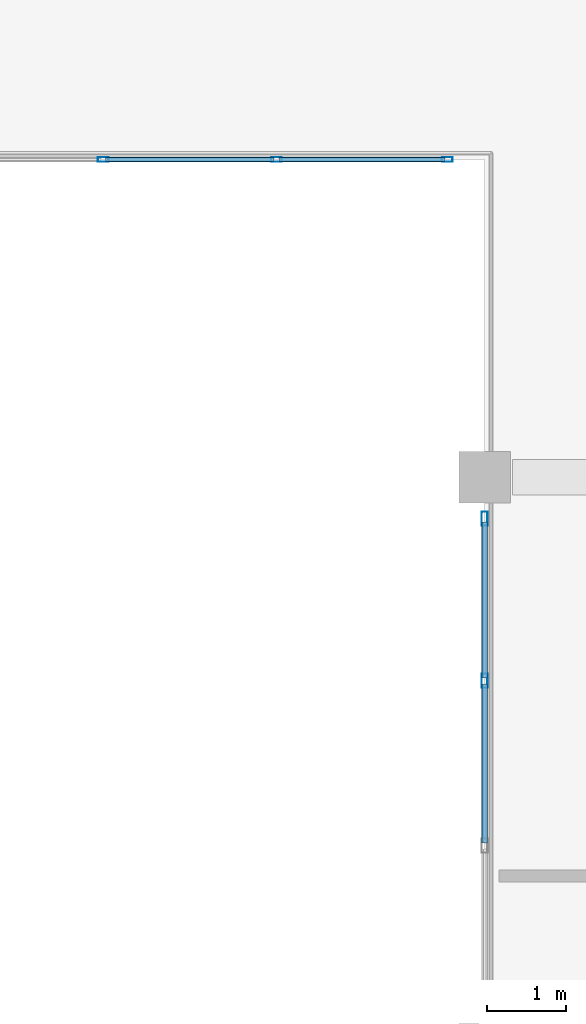
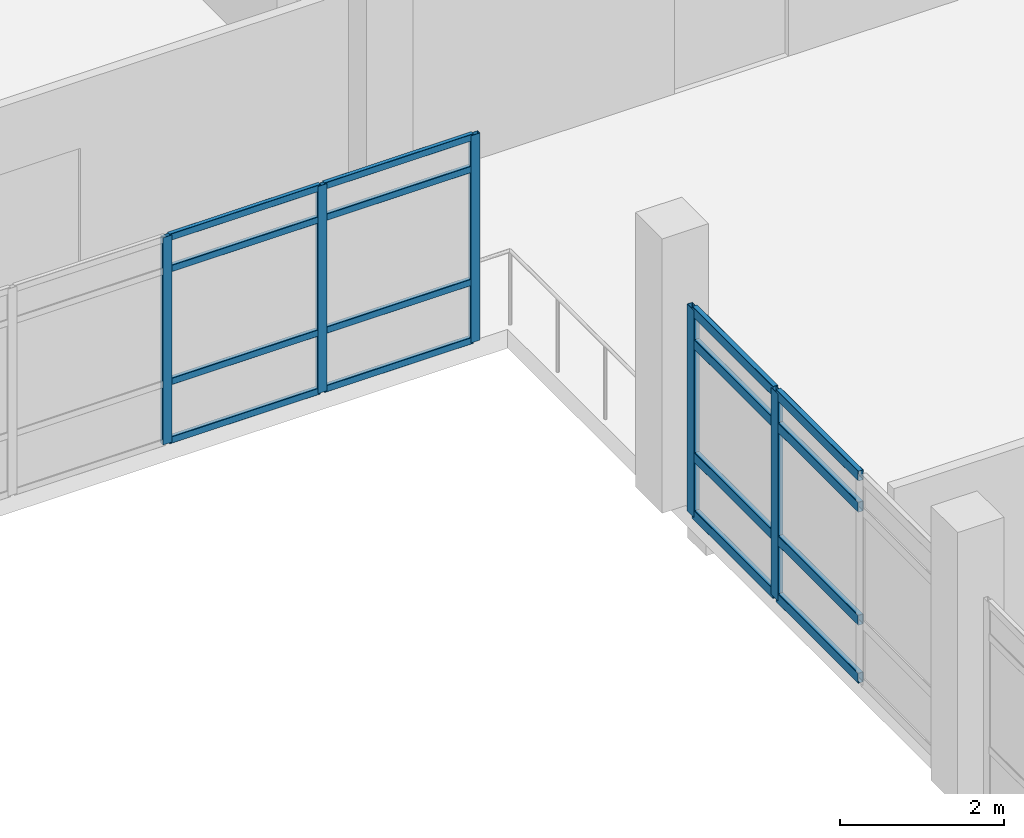
# One storey, part 27 of 72: 21 members, 2 elements without a shape of their own.
"""IFC4 building model written with IfcOpenShell, lengths in metres."""

import ifcopenshell
import ifcopenshell.guid

model = None  # the IFC model being written
_history = None  # IfcOwnerHistory: only IFC2X3 demands one
_inside = {}  # id of a spatial element -> (the spatial element, [elements in it])
_under = {}  # id of a project, library or spatial element -> (it, [spatial elements below it])
_declared = {}  # id of a project -> (the project, [libraries it declares])
_typed = {}  # id of a type object -> (the type object, [elements of that type])
_made_of = {}  # id of a material, layer set ... -> (it, [elements and type objects made of it])


def new_model(schema):
    """Start an empty IFC model of exactly this schema.

    Asked for "IFC4X3", IfcOpenShell would pick the latest addendum, in which some entities
    have other attributes; the version numbers below select the first issue.
    IFC2X3 requires an IfcOwnerHistory on every rooted entity: one is made here for all.
    """
    global model, _history
    if schema == "IFC4X3":
        model = ifcopenshell.file(schema_version=(4, 3, 0, 0))
    else:
        model = ifcopenshell.file(schema=schema)
    _inside.clear()
    _under.clear()
    _declared.clear()
    _typed.clear()
    _made_of.clear()
    _history = None
    if model.schema == "IFC2X3":
        org = make("IfcOrganization", Name="unknown")
        user = make(
            "IfcPersonAndOrganization",
            ThePerson=make("IfcPerson", FamilyName="unknown"),
            TheOrganization=org,
        )
        app = make(
            "IfcApplication",
            ApplicationDeveloper=org,
            Version="unknown",
            ApplicationFullName="unknown",
            ApplicationIdentifier="unknown",
        )
        _history = make(
            "IfcOwnerHistory",
            OwningUser=user,
            OwningApplication=app,
            ChangeAction="ADDED",
            CreationDate=0,
        )
    return model


def make(cls, **values):
    """One entity of the class cls with the attributes given. An attribute that is None is left unset."""
    return model.create_entity(
        cls, **{name: value for name, value in values.items() if value is not None}
    )


def rooted(cls, **values):
    """An entity with a GlobalId (a new one), such as an element, a storey or a relation."""
    return make(cls, GlobalId=ifcopenshell.guid.new(), OwnerHistory=_history, **values)


def si_unit(unit_type, name, prefix=None):
    """IfcSIUnit, for example si_unit("LENGTHUNIT", "METRE", prefix="MILLI")."""
    return make("IfcSIUnit", UnitType=unit_type, Prefix=prefix, Name=name)


def assignment(units):
    """IfcUnitAssignment: the units of a project."""
    return None if units is None else make("IfcUnitAssignment", Units=units)


def point(xyz):
    """IfcCartesianPoint."""
    return None if xyz is None else make("IfcCartesianPoint", Coordinates=xyz)


def direction(xyz):
    """IfcDirection."""
    return None if xyz is None else make("IfcDirection", DirectionRatios=xyz)


def frame(location, z_axis=None, x_axis=None):
    """IfcAxis2Placement3D, a coordinate frame: its origin and axes. An axis left out is left unset."""
    return make(
        "IfcAxis2Placement3D",
        Location=point(location),
        Axis=direction(z_axis),
        RefDirection=direction(x_axis),
    )


def frame_2d(location, x_axis=None):
    """IfcAxis2Placement2D, a coordinate frame in the plane: its origin and x axis."""
    return make(
        "IfcAxis2Placement2D", Location=point(location), RefDirection=direction(x_axis)
    )


def origin():
    """The frame at (0, 0, 0) with its axes left unset."""
    return frame((0.0, 0.0, 0.0))


def origin_2d():
    """The frame at (0, 0) in the plane with its x axis left unset."""
    return frame_2d((0.0, 0.0))


def place(relative_to, where):
    """IfcLocalPlacement: puts the frame where relative to a parent placement (None: the world)."""
    return make(
        "IfcLocalPlacement", PlacementRelTo=relative_to, RelativePlacement=where
    )


def context(
    kind, dimensions, precision=None, world=None, true_north=None, identifier=None
):
    """IfcGeometricRepresentationContext, for example the 3D "Model" context."""
    return make(
        "IfcGeometricRepresentationContext",
        ContextIdentifier=identifier,
        ContextType=kind,
        CoordinateSpaceDimension=dimensions,
        Precision=precision,
        WorldCoordinateSystem=world,
        TrueNorth=true_north,
    )


def subcontext(parent, identifier, kind, view, scale=None):
    """IfcGeometricRepresentationSubContext, for example "Body" below "Model"."""
    return make(
        "IfcGeometricRepresentationSubContext",
        ContextIdentifier=identifier,
        ContextType=kind,
        ParentContext=parent,
        TargetScale=scale,
        TargetView=view,
    )


def project(units=None, contexts=None):
    """IfcProject with its units and contexts."""
    return rooted(
        "IfcProject",
        Name="project",
        RepresentationContexts=contexts,
        UnitsInContext=assignment(units),
    )


def spatial(cls, under=None, at=None, **own):
    """A site, building, storey or space (cls), placed at a placement, below another one or the project."""
    s = rooted(cls, ObjectPlacement=at, **own)
    if under is not None:
        _under.setdefault(under.id(), (under, []))[1].append(s)
    return s


def profile(cls, at=None, kind="AREA", **sizes):
    """A parametric profile (cls). Its sizes go by their IFC names, for example OverallWidth=200.0."""
    return make(cls, ProfileType=kind, Position=at, **sizes)


def hollow_rectangle(**sizes):
    """IfcRectangleHollowProfileDef."""
    return profile("IfcRectangleHollowProfileDef", **sizes)


def extrude(swept, where, along, depth):
    """IfcExtrudedAreaSolid: the profile swept, set in the frame where, extruded along a direction by depth."""
    return make(
        "IfcExtrudedAreaSolid",
        SweptArea=swept,
        Position=where,
        ExtrudedDirection=direction(along),
        Depth=depth,
    )


def shape(context_of_items, identifier, shape_type, items):
    """IfcShapeRepresentation: the items that make up one representation, for example the "Body"."""
    return make(
        "IfcShapeRepresentation",
        ContextOfItems=context_of_items,
        RepresentationIdentifier=identifier,
        RepresentationType=shape_type,
        Items=items,
    )


def material(Name=None, Category=None):
    """IfcMaterial."""
    return make("IfcMaterial", Name=Name, Category=Category)


def layer(
    of_material, thickness, ventilated=None, Name=None, Category=None, Priority=None
):
    """IfcMaterialLayer: one layer of a wall or slab, of a material (None: an air gap)."""
    return make(
        "IfcMaterialLayer",
        Material=of_material,
        LayerThickness=thickness,
        IsVentilated=ventilated,
        Name=Name,
        Category=Category,
        Priority=Priority,
    )


def layer_set(layers, Name=None):
    """IfcMaterialLayerSet."""
    return make("IfcMaterialLayerSet", MaterialLayers=layers, LayerSetName=Name)


def material_profile(
    of_material, cross_section, Name=None, Category=None, Priority=None
):
    """IfcMaterialProfile: a cross section and its material."""
    return make(
        "IfcMaterialProfile",
        Name=Name,
        Material=of_material,
        Profile=cross_section,
        Priority=Priority,
        Category=Category,
    )


def profile_set(profiles, Name=None, composite=None):
    """IfcMaterialProfileSet."""
    return make(
        "IfcMaterialProfileSet",
        Name=Name,
        MaterialProfiles=profiles,
        CompositeProfile=composite,
    )


def made_of(thing, what):
    """Note that an element or type object is made of a material, layer set ...; save() writes the relation."""
    if what is not None:
        _made_of.setdefault(what.id(), (what, []))[1].append(thing)
    return thing


def type_object(cls, material=None, **own):
    """A type object (cls), such as IfcWallType, which elements share."""
    return made_of(rooted(cls, **own), material)


def element(
    cls,
    number,
    at=None,
    inside=None,
    cuts=None,
    type_object=None,
    material=None,
    context=None,
    identifier="Body",
    shape_type=None,
    held_by="IfcProductDefinitionShape",
    body=None,
    shapes=None,
    **own,
):
    """One element of the class cls, such as IfcWall. Its Tag is "e" and its number.

    at: its placement. inside: the storey or other place that contains it. cuts: it is an
    opening in that element (IfcRelVoidsElement). A single representation is given by context,
    identifier, shape_type and body (its items); several are given by shapes. held_by: the class
    of the entity that holds the representations. save() writes the other relations.
    """
    e = rooted(cls, Tag="e%d" % number, ObjectPlacement=at, **own)
    if body is not None:
        shapes = [shape(context, identifier, shape_type, body)]
    if shapes is not None:
        e.Representation = make(held_by, Representations=shapes)
    if inside is not None:
        _inside.setdefault(inside.id(), (inside, []))[1].append(e)
    if cuts is not None:
        rooted(
            "IfcRelVoidsElement", RelatingBuildingElement=cuts, RelatedOpeningElement=e
        )
    if type_object is not None:
        _typed.setdefault(type_object.id(), (type_object, []))[1].append(e)
    return made_of(e, material)


def aggregate(whole, parts):
    """IfcRelAggregates: a whole, such as a stair, and the parts it consists of."""
    return rooted("IfcRelAggregates", RelatingObject=whole, RelatedObjects=parts)


def save(model, path):
    """Write the relations noted so far, then the file.

    IfcRelAggregates (storeys below a building ...), IfcRelContainedInSpatialStructure (elements
    in a storey), IfcRelDefinesByType, IfcRelAssociatesMaterial and IfcRelDeclares: one each for
    every whole, place, type object, material and project.
    """
    for whole, parts in _under.values():
        aggregate(whole, parts)
    for where, things in _inside.values():
        rooted(
            "IfcRelContainedInSpatialStructure",
            RelatedElements=things,
            RelatingStructure=where,
        )
    for kind, things in _typed.values():
        rooted("IfcRelDefinesByType", RelatedObjects=things, RelatingType=kind)
    for what, things in _made_of.values():
        rooted("IfcRelAssociatesMaterial", RelatedObjects=things, RelatingMaterial=what)
    for by, libraries in _declared.values():
        rooted("IfcRelDeclares", RelatingContext=by, RelatedDefinitions=libraries)
    model.write(path)


model = new_model("IFC4")

# Units and contexts
model_context = context("Model", 3, precision=1e-05, world=origin(), true_north=direction((0.0, 1.0)))
body_context = subcontext(model_context, "Body", "Model", "MODEL_VIEW")
ifc_project = project(units=[si_unit("LENGTHUNIT", "METRE"), si_unit("AREAUNIT", "SQUARE_METRE"), si_unit("VOLUMEUNIT", "CUBIC_METRE"), si_unit("PLANEANGLEUNIT", "RADIAN"), si_unit("MASSUNIT", "GRAM", prefix="KILO")], contexts=[model_context])

# Site, building, storey
site_placement = place(None, origin())
site = spatial("IfcSite", under=ifc_project, at=site_placement, CompositionType="ELEMENT")
building_placement = place(site_placement, origin())
building = spatial("IfcBuilding", under=site, at=building_placement, Name="Asteropetra Specialist Clinic", CompositionType="ELEMENT")
storey_placement = place(building_placement, frame((0.0, 0.0, 12.580078125)))
storey = spatial("IfcBuildingStorey", under=building, at=storey_placement, Name="L03", CompositionType="ELEMENT", Elevation=12.580078125)

# Curtain wall, members
ifc_material_1 = material(Name="Aluminium and low-E glass", Category="aluminium")
ifc_layer_1 = layer(ifc_material_1, 0.179931640625)
ifc_layer_set_1 = layer_set([ifc_layer_1], Name="Aluminium and low-E glass")
curtain_wall_type_1 = type_object("IfcCurtainWallType", Name="CW-SYS-04", PredefinedType="USERDEFINED", material=ifc_layer_set_1)
curtain_wall_1_placement = place(storey_placement, origin())
curtain_wall_1 = element("IfcCurtainWall", 1, at=curtain_wall_1_placement, inside=storey, type_object=curtain_wall_type_1, Name="Curtain Wall CW-044", ObjectType="UNITISED CURTAIN WALL", PredefinedType="USERDEFINED")
ifc_material_2 = material(Name="Aluminium 6063-T6", Category="aluminium")
ifc_material_profile_1 = material_profile(ifc_material_2, hollow_rectangle(XDim=0.06005859375, YDim=0.135009765625, WallThickness=0.00341796875, InnerFilletRadius=0.00341796875, OuterFilletRadius=0.007080078125, at=origin_2d()), Name="MUL 135x60x3.5")
ifc_profile_set_1 = profile_set([ifc_material_profile_1], Name="Aluminium 6063-T6")
member_type_1 = type_object("IfcMemberType", Name="CWM-135x60", PredefinedType="MULLION", material=ifc_profile_set_1)
member_1_placement = place(storey_placement, frame((28.330078125, 95.199951171875, 0.0), z_axis=(0.0, 0.0, 1.0), x_axis=(0.0, -1.0, 0.0)))
member_1 = element("IfcMember", 2, at=member_1_placement, type_object=member_type_1, Name="CW-044 mullion 1", PredefinedType="MULLION", context=body_context, shape_type="SweptSolid", body=[
    extrude(hollow_rectangle(XDim=0.06005859375, YDim=0.135009765625, WallThickness=0.00341796875, InnerFilletRadius=0.00341796875, OuterFilletRadius=0.007080078125, at=origin_2d()), origin(), (0.0, 0.0, 1.0), 3.079833984375),
])
member_2_placement = place(storey_placement, frame((26.179931640625, 95.199951171875, 0.0), z_axis=(0.0, 0.0, 1.0), x_axis=(0.0, -1.0, 0.0)))
member_2 = element("IfcMember", 3, at=member_2_placement, type_object=member_type_1, Name="CW-044 mullion 2", PredefinedType="MULLION", context=body_context, shape_type="SweptSolid", body=[
    extrude(hollow_rectangle(XDim=0.06005859375, YDim=0.135009765625, WallThickness=0.00341796875, InnerFilletRadius=0.00341796875, OuterFilletRadius=0.007080078125, at=origin_2d()), origin(), (0.0, 0.0, 1.0), 3.079833984375),
])
member_3_placement = place(storey_placement, frame((24.0, 95.199951171875, 0.0), z_axis=(0.0, 0.0, 1.0), x_axis=(0.0, -1.0, 0.0)))
member_3 = element("IfcMember", 4, at=member_3_placement, type_object=member_type_1, Name="CW-044 mullion 3", PredefinedType="MULLION", context=body_context, shape_type="SweptSolid", body=[
    extrude(hollow_rectangle(XDim=0.06005859375, YDim=0.135009765625, WallThickness=0.00341796875, InnerFilletRadius=0.00341796875, OuterFilletRadius=0.007080078125, at=origin_2d()), origin(), (0.0, 0.0, 1.0), 3.079833984375),
])

ifc_material_3 = material(Name="Aluminium and low-E glass", Category="aluminium")
ifc_layer_2 = layer(ifc_material_3, 0.135009765625)
ifc_layer_set_2 = layer_set([ifc_layer_2], Name="Aluminium and low-E glass")
curtain_wall_type_2 = type_object("IfcCurtainWallType", Name="CW-SYS-06", PredefinedType="USERDEFINED", material=ifc_layer_set_2)
curtain_wall_2_placement = place(storey_placement, origin())
curtain_wall_2 = element("IfcCurtainWall", 5, at=curtain_wall_2_placement, inside=storey, type_object=curtain_wall_type_2, Name="Curtain Wall CW-048", ObjectType="UNITISED CURTAIN WALL", PredefinedType="USERDEFINED")
ifc_material_4 = material(Name="Aluminium 6063-T6", Category="aluminium")
ifc_material_profile_2 = material_profile(ifc_material_4, hollow_rectangle(XDim=0.074951171875, YDim=0.179931640625, WallThickness=0.00390625, InnerFilletRadius=0.00390625, OuterFilletRadius=0.008056640625, at=origin_2d()), Name="MUL 180x75x4.0")
ifc_profile_set_2 = profile_set([ifc_material_profile_2], Name="Aluminium 6063-T6")
member_type_2 = type_object("IfcMemberType", Name="CWM-180x75", PredefinedType="MULLION", material=ifc_profile_set_2)
member_4_placement = place(storey_placement, frame((28.800048828125, 88.638427734375, 0.0), z_axis=(0.0, 0.0, 1.0), x_axis=(-1.0, 0.0, 0.0)))
member_4 = element("IfcMember", 6, at=member_4_placement, type_object=member_type_2, Name="CW-048 mullion 3", PredefinedType="MULLION", context=body_context, shape_type="SweptSolid", body=[
    extrude(hollow_rectangle(XDim=0.074951171875, YDim=0.179931640625, WallThickness=0.00390625, InnerFilletRadius=0.00390625, OuterFilletRadius=0.008056640625, at=origin_2d()), origin(), (0.0, 0.0, 1.0), 3.079833984375),
])
member_5_placement = place(storey_placement, frame((28.800048828125, 90.677490234375, 0.0), z_axis=(0.0, 0.0, 1.0), x_axis=(-1.0, 0.0, 0.0)))
member_5 = element("IfcMember", 7, at=member_5_placement, type_object=member_type_2, Name="CW-048 mullion 4", PredefinedType="MULLION", context=body_context, shape_type="SweptSolid", body=[
    extrude(hollow_rectangle(XDim=0.074951171875, YDim=0.179931640625, WallThickness=0.00390625, InnerFilletRadius=0.00390625, OuterFilletRadius=0.008056640625, at=origin_2d()), origin(), (0.0, 0.0, 1.0), 3.079833984375),
])

# Member
ifc_material_5 = material(Name="Aluminium 6063-T6", Category="aluminium")
ifc_material_profile_3 = material_profile(ifc_material_5, hollow_rectangle(XDim=0.06005859375, YDim=0.10009765625, WallThickness=0.00341796875, InnerFilletRadius=0.00341796875, OuterFilletRadius=0.007080078125, at=origin_2d()), Name="TRN 100x60x3.5")
ifc_profile_set_3 = profile_set([ifc_material_profile_3], Name="Aluminium 6063-T6")
member_type_3 = type_object("IfcMemberType", Name="CWT-100x60", PredefinedType="USERDEFINED", material=ifc_profile_set_3)
member_6_placement = place(storey_placement, frame((28.300048828125, 95.199951171875, 0.030029296875), z_axis=(-1.0, 0.0, 0.0), x_axis=(0.0, -1.0, 0.0)))
member_6 = element("IfcMember", 8, at=member_6_placement, type_object=member_type_3, Name="CW-044 transom 1.1", ObjectType="TRANSOM", PredefinedType="USERDEFINED", context=body_context, shape_type="SweptSolid", body=[
    extrude(hollow_rectangle(XDim=0.06005859375, YDim=0.10009765625, WallThickness=0.00341796875, InnerFilletRadius=0.00341796875, OuterFilletRadius=0.007080078125, at=origin_2d()), origin(), (0.0, 0.0, 1.0), 2.090087890625),
])

member_7_placement = place(storey_placement, frame((28.300048828125, 95.199951171875, 0.89990234375), z_axis=(-1.0, 0.0, 0.0), x_axis=(0.0, -1.0, 0.0)))
member_7 = element("IfcMember", 9, at=member_7_placement, type_object=member_type_3, Name="CW-044 transom 1.2", ObjectType="TRANSOM", PredefinedType="USERDEFINED", context=body_context, shape_type="SweptSolid", body=[
    extrude(hollow_rectangle(XDim=0.06005859375, YDim=0.10009765625, WallThickness=0.00341796875, InnerFilletRadius=0.00341796875, OuterFilletRadius=0.007080078125, at=origin_2d()), origin(), (0.0, 0.0, 1.0), 2.090087890625),
])

member_8_placement = place(storey_placement, frame((28.300048828125, 95.199951171875, 2.579833984375), z_axis=(-1.0, 0.0, 0.0), x_axis=(0.0, -1.0, 0.0)))
member_8 = element("IfcMember", 10, at=member_8_placement, type_object=member_type_3, Name="CW-044 transom 1.3", ObjectType="TRANSOM", PredefinedType="USERDEFINED", context=body_context, shape_type="SweptSolid", body=[
    extrude(hollow_rectangle(XDim=0.06005859375, YDim=0.10009765625, WallThickness=0.00341796875, InnerFilletRadius=0.00341796875, OuterFilletRadius=0.007080078125, at=origin_2d()), origin(), (0.0, 0.0, 1.0), 2.090087890625),
])

member_9_placement = place(storey_placement, frame((28.300048828125, 95.199951171875, 3.0498046875), z_axis=(-1.0, 0.0, 0.0), x_axis=(0.0, -1.0, 0.0)))
member_9 = element("IfcMember", 11, at=member_9_placement, type_object=member_type_3, Name="CW-044 transom 1.4", ObjectType="TRANSOM", PredefinedType="USERDEFINED", context=body_context, shape_type="SweptSolid", body=[
    extrude(hollow_rectangle(XDim=0.06005859375, YDim=0.10009765625, WallThickness=0.00341796875, InnerFilletRadius=0.00341796875, OuterFilletRadius=0.007080078125, at=origin_2d()), origin(), (0.0, 0.0, 1.0), 2.090087890625),
])

member_10_placement = place(storey_placement, frame((26.14990234375, 95.199951171875, 0.030029296875), z_axis=(-1.0, 0.0, 0.0), x_axis=(0.0, -1.0, 0.0)))
member_10 = element("IfcMember", 12, at=member_10_placement, type_object=member_type_3, Name="CW-044 transom 2.1", ObjectType="TRANSOM", PredefinedType="USERDEFINED", context=body_context, shape_type="SweptSolid", body=[
    extrude(hollow_rectangle(XDim=0.06005859375, YDim=0.10009765625, WallThickness=0.00341796875, InnerFilletRadius=0.00341796875, OuterFilletRadius=0.007080078125, at=origin_2d()), origin(), (0.0, 0.0, 1.0), 2.119873046875),
])

member_11_placement = place(storey_placement, frame((26.14990234375, 95.199951171875, 0.89990234375), z_axis=(-1.0, 0.0, 0.0), x_axis=(0.0, -1.0, 0.0)))
member_11 = element("IfcMember", 13, at=member_11_placement, type_object=member_type_3, Name="CW-044 transom 2.2", ObjectType="TRANSOM", PredefinedType="USERDEFINED", context=body_context, shape_type="SweptSolid", body=[
    extrude(hollow_rectangle(XDim=0.06005859375, YDim=0.10009765625, WallThickness=0.00341796875, InnerFilletRadius=0.00341796875, OuterFilletRadius=0.007080078125, at=origin_2d()), origin(), (0.0, 0.0, 1.0), 2.119873046875),
])

member_12_placement = place(storey_placement, frame((26.14990234375, 95.199951171875, 2.579833984375), z_axis=(-1.0, 0.0, 0.0), x_axis=(0.0, -1.0, 0.0)))
member_12 = element("IfcMember", 14, at=member_12_placement, type_object=member_type_3, Name="CW-044 transom 2.3", ObjectType="TRANSOM", PredefinedType="USERDEFINED", context=body_context, shape_type="SweptSolid", body=[
    extrude(hollow_rectangle(XDim=0.06005859375, YDim=0.10009765625, WallThickness=0.00341796875, InnerFilletRadius=0.00341796875, OuterFilletRadius=0.007080078125, at=origin_2d()), origin(), (0.0, 0.0, 1.0), 2.119873046875),
])

member_13_placement = place(storey_placement, frame((26.14990234375, 95.199951171875, 3.0498046875), z_axis=(-1.0, 0.0, 0.0), x_axis=(0.0, -1.0, 0.0)))
member_13 = element("IfcMember", 15, at=member_13_placement, type_object=member_type_3, Name="CW-044 transom 2.4", ObjectType="TRANSOM", PredefinedType="USERDEFINED", context=body_context, shape_type="SweptSolid", body=[
    extrude(hollow_rectangle(XDim=0.06005859375, YDim=0.10009765625, WallThickness=0.00341796875, InnerFilletRadius=0.00341796875, OuterFilletRadius=0.007080078125, at=origin_2d()), origin(), (0.0, 0.0, 1.0), 2.119873046875),
])

aggregate(curtain_wall_1, [member_1, member_2, member_3, member_6, member_7, member_8, member_9, member_10, member_11, member_12, member_13])

ifc_material_6 = material(Name="Aluminium 6063-T6", Category="aluminium")
ifc_material_profile_4 = material_profile(ifc_material_6, hollow_rectangle(XDim=0.074951171875, YDim=0.14990234375, WallThickness=0.00390625, InnerFilletRadius=0.00390625, OuterFilletRadius=0.008056640625, at=origin_2d()), Name="TRN 150x75x4.0")
ifc_profile_set_4 = profile_set([ifc_material_profile_4], Name="Aluminium 6063-T6")
member_type_4 = type_object("IfcMemberType", Name="CWT-150x75", PredefinedType="USERDEFINED", material=ifc_profile_set_4)
member_14_placement = place(storey_placement, frame((28.800048828125, 86.59912109375, 0.037353515625), z_axis=(0.0, 1.0, 0.0), x_axis=(-1.0, 0.0, 0.0)))
member_14 = element("IfcMember", 16, at=member_14_placement, type_object=member_type_4, Name="CW-048 transom 2.1", ObjectType="TRANSOM", PredefinedType="USERDEFINED", context=body_context, shape_type="SweptSolid", body=[
    extrude(hollow_rectangle(XDim=0.074951171875, YDim=0.14990234375, WallThickness=0.00390625, InnerFilletRadius=0.00390625, OuterFilletRadius=0.008056640625, at=origin_2d()), origin(), (0.0, 0.0, 1.0), 2.001708984375),
])

member_15_placement = place(storey_placement, frame((28.800048828125, 86.59912109375, 0.89990234375), z_axis=(0.0, 1.0, 0.0), x_axis=(-1.0, 0.0, 0.0)))
member_15 = element("IfcMember", 17, at=member_15_placement, type_object=member_type_4, Name="CW-048 transom 2.2", ObjectType="TRANSOM", PredefinedType="USERDEFINED", context=body_context, shape_type="SweptSolid", body=[
    extrude(hollow_rectangle(XDim=0.074951171875, YDim=0.14990234375, WallThickness=0.00390625, InnerFilletRadius=0.00390625, OuterFilletRadius=0.008056640625, at=origin_2d()), origin(), (0.0, 0.0, 1.0), 2.001708984375),
])

member_16_placement = place(storey_placement, frame((28.800048828125, 86.59912109375, 2.579833984375), z_axis=(0.0, 1.0, 0.0), x_axis=(-1.0, 0.0, 0.0)))
member_16 = element("IfcMember", 18, at=member_16_placement, type_object=member_type_4, Name="CW-048 transom 2.3", ObjectType="TRANSOM", PredefinedType="USERDEFINED", context=body_context, shape_type="SweptSolid", body=[
    extrude(hollow_rectangle(XDim=0.074951171875, YDim=0.14990234375, WallThickness=0.00390625, InnerFilletRadius=0.00390625, OuterFilletRadius=0.008056640625, at=origin_2d()), origin(), (0.0, 0.0, 1.0), 2.001708984375),
])

member_17_placement = place(storey_placement, frame((28.800048828125, 86.59912109375, 3.04248046875), z_axis=(0.0, 1.0, 0.0), x_axis=(-1.0, 0.0, 0.0)))
member_17 = element("IfcMember", 19, at=member_17_placement, type_object=member_type_4, Name="CW-048 transom 2.4", ObjectType="TRANSOM", PredefinedType="USERDEFINED", context=body_context, shape_type="SweptSolid", body=[
    extrude(hollow_rectangle(XDim=0.074951171875, YDim=0.14990234375, WallThickness=0.00390625, InnerFilletRadius=0.00390625, OuterFilletRadius=0.008056640625, at=origin_2d()), origin(), (0.0, 0.0, 1.0), 2.001708984375),
])

member_18_placement = place(storey_placement, frame((28.800048828125, 88.67578125, 0.037353515625), z_axis=(0.0, 1.0, 0.0), x_axis=(-1.0, 0.0, 0.0)))
member_18 = element("IfcMember", 20, at=member_18_placement, type_object=member_type_4, Name="CW-048 transom 3.1", ObjectType="TRANSOM", PredefinedType="USERDEFINED", context=body_context, shape_type="SweptSolid", body=[
    extrude(hollow_rectangle(XDim=0.074951171875, YDim=0.14990234375, WallThickness=0.00390625, InnerFilletRadius=0.00390625, OuterFilletRadius=0.008056640625, at=origin_2d()), origin(), (0.0, 0.0, 1.0), 1.964111328125),
])

member_19_placement = place(storey_placement, frame((28.800048828125, 88.67578125, 0.89990234375), z_axis=(0.0, 1.0, 0.0), x_axis=(-1.0, 0.0, 0.0)))
member_19 = element("IfcMember", 21, at=member_19_placement, type_object=member_type_4, Name="CW-048 transom 3.2", ObjectType="TRANSOM", PredefinedType="USERDEFINED", context=body_context, shape_type="SweptSolid", body=[
    extrude(hollow_rectangle(XDim=0.074951171875, YDim=0.14990234375, WallThickness=0.00390625, InnerFilletRadius=0.00390625, OuterFilletRadius=0.008056640625, at=origin_2d()), origin(), (0.0, 0.0, 1.0), 1.964111328125),
])

member_20_placement = place(storey_placement, frame((28.800048828125, 88.67578125, 2.579833984375), z_axis=(0.0, 1.0, 0.0), x_axis=(-1.0, 0.0, 0.0)))
member_20 = element("IfcMember", 22, at=member_20_placement, type_object=member_type_4, Name="CW-048 transom 3.3", ObjectType="TRANSOM", PredefinedType="USERDEFINED", context=body_context, shape_type="SweptSolid", body=[
    extrude(hollow_rectangle(XDim=0.074951171875, YDim=0.14990234375, WallThickness=0.00390625, InnerFilletRadius=0.00390625, OuterFilletRadius=0.008056640625, at=origin_2d()), origin(), (0.0, 0.0, 1.0), 1.964111328125),
])

member_21_placement = place(storey_placement, frame((28.800048828125, 88.67578125, 3.04248046875), z_axis=(0.0, 1.0, 0.0), x_axis=(-1.0, 0.0, 0.0)))
member_21 = element("IfcMember", 23, at=member_21_placement, type_object=member_type_4, Name="CW-048 transom 3.4", ObjectType="TRANSOM", PredefinedType="USERDEFINED", context=body_context, shape_type="SweptSolid", body=[
    extrude(hollow_rectangle(XDim=0.074951171875, YDim=0.14990234375, WallThickness=0.00390625, InnerFilletRadius=0.00390625, OuterFilletRadius=0.008056640625, at=origin_2d()), origin(), (0.0, 0.0, 1.0), 1.964111328125),
])

aggregate(curtain_wall_2, [member_4, member_5, member_14, member_15, member_16, member_17, member_18, member_19, member_20, member_21])

save(model, "model.ifc")
